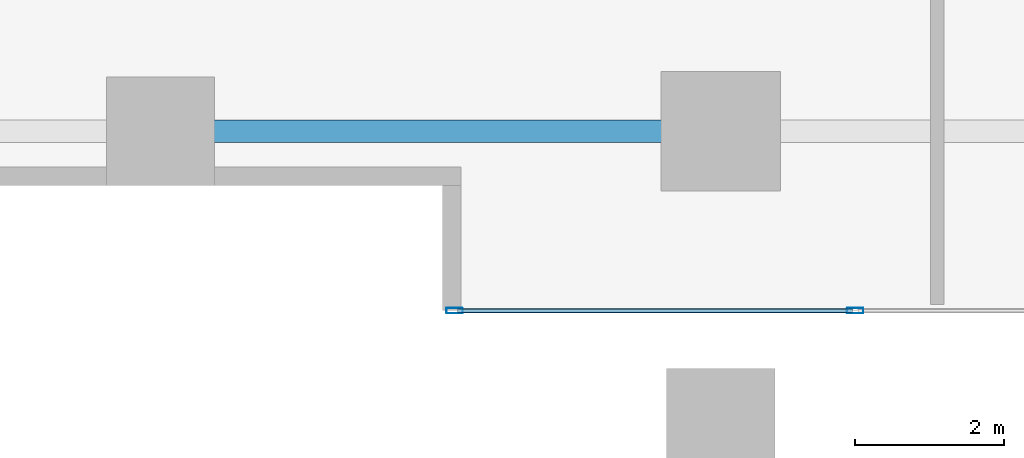
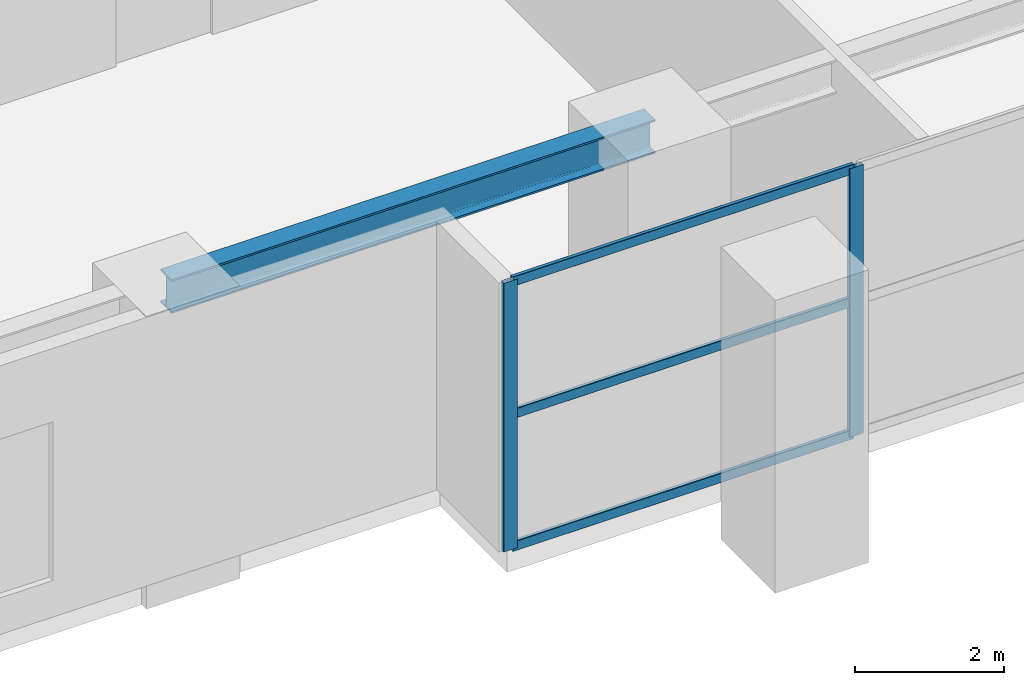
# One storey, part 2 of 20: 5 members, 1 beam, 1 element without a shape of its own.
"""IFC4 building model written with IfcOpenShell, lengths in metres."""

from ifc_helpers import new_model, si_unit, direction, frame, origin, origin_2d, place, context, subcontext, project, spatial, hollow_rectangle, i_section, extrude, source, transform, mapped, material, layer, layer_set, material_profile, profile_set, type_object, element, aggregate, save


model = new_model("IFC4")

# Units and contexts
model_context = context("Model", 3, precision=1e-05, world=origin(), true_north=direction((0.0, 1.0)))
body_context = subcontext(model_context, "Body", "Model", "MODEL_VIEW")
ifc_project = project(units=[si_unit("LENGTHUNIT", "METRE"), si_unit("AREAUNIT", "SQUARE_METRE"), si_unit("VOLUMEUNIT", "CUBIC_METRE"), si_unit("PLANEANGLEUNIT", "RADIAN"), si_unit("MASSUNIT", "GRAM", prefix="KILO")], contexts=[model_context])

# Site, building, storey
site_placement = place(None, origin())
site = spatial("IfcSite", under=ifc_project, at=site_placement, CompositionType="ELEMENT")
building_placement = place(site_placement, origin())
building = spatial("IfcBuilding", under=site, at=building_placement, Name="Serunith Strait Residences", CompositionType="ELEMENT")
storey_placement = place(building_placement, frame((0.0, 0.0, 10.5)))
storey = spatial("IfcBuildingStorey", under=building, at=storey_placement, Name="L02", CompositionType="ELEMENT", Elevation=10.5)

# Beam
ifc_material_1 = material(Name="Steel S355J2", Category="steel")
ifc_material_profile_1 = material_profile(ifc_material_1, i_section(OverallWidth=0.300048828125, OverallDepth=0.550048828125, WebThickness=0.014892578125, FlangeThickness=0.029052734375, FilletRadius=0.027099609375, at=origin_2d()), Name="HEB 550")
ifc_profile_set_1 = profile_set([ifc_material_profile_1], Name="Steel S355J2")
beam_type = type_object("IfcBeamType", Name="BM-HEB550", PredefinedType="BEAM", material=ifc_profile_set_1)
shared_shape_1 = source(origin(), body_context, "Body", "SweptSolid", [
    extrude(i_section(OverallWidth=0.300048828125, OverallDepth=0.550048828125, WebThickness=0.014892578125, FlangeThickness=0.029052734375, FilletRadius=0.027099609375, at=origin_2d()), origin(), (0.0, 0.0, 1.0), 7.5),
])
beam_placement = place(storey_placement, frame((20.39990234375, 4.800048828125, 4.14208984375), z_axis=(1.0, 0.0, 0.0), x_axis=(0.0, 1.0, 0.0)))
element("IfcBeam", 1, at=beam_placement, inside=storey, type_object=beam_type, Name="BM-L02-02", PredefinedType="BEAM", context=body_context, shape_type="MappedRepresentation", body=[
    mapped(shared_shape_1, transform((0.0, 0.0, 0.0), scale=1.0)),
])

# Curtain wall, members
ifc_material_2 = material(Name="Pale-Champagne Anodised Aluminium", Category="aluminium")
ifc_layer = layer(ifc_material_2, 0.199951171875, Name="Pale-Champagne Anodised Aluminium")
ifc_layer_set = layer_set([ifc_layer], Name="Pale-Champagne Anodised Aluminium")
curtain_wall_type = type_object("IfcCurtainWallType", Name="CW-SYS6", PredefinedType="NOTDEFINED", material=ifc_layer_set)
curtain_wall_placement = place(storey_placement, origin())
curtain_wall = element("IfcCurtainWall", 2, at=curtain_wall_placement, inside=storey, type_object=curtain_wall_type, Name="L02 Podium Galleria Curtain Wall 3A", PredefinedType="NOTDEFINED")
ifc_material_profile_2 = material_profile(ifc_material_2, hollow_rectangle(XDim=0.06005859375, YDim=0.159912109375, WallThickness=0.00341796875, InnerFilletRadius=0.00537109375, OuterFilletRadius=0.0087890625, at=origin_2d()), Name="ALU 160x60x3.5")
ifc_profile_set_2 = profile_set([ifc_material_profile_2], Name="Pale-Champagne Anodised Aluminium")
member_type_1 = type_object("IfcMemberType", Name="CW-SYS6-TRAN", PredefinedType="USERDEFINED", material=ifc_profile_set_2)
shared_shape_2 = source(origin(), body_context, "Body", "SweptSolid", [
    extrude(hollow_rectangle(XDim=0.06005859375, YDim=0.159912109375, WallThickness=0.00341796875, InnerFilletRadius=0.00537109375, OuterFilletRadius=0.0087890625, at=origin_2d()), origin(), (0.0, 0.0, 1.0), 5.28759765625),
])
member_1_placement = place(storey_placement, frame((24.375, 2.39990234375, 0.030029296875), z_axis=(1.0, 0.0, 0.0), x_axis=(0.0, 1.0, 0.0)))
member_1 = element("IfcMember", 3, at=member_1_placement, type_object=member_type_1, Name="CW-6 transom 1.1", ObjectType="TRANSOM", PredefinedType="USERDEFINED", context=body_context, shape_type="MappedRepresentation", body=[
    mapped(shared_shape_2, transform((0.0, 0.0, 0.0), scale=1.0)),
])
member_2_placement = place(storey_placement, frame((24.375, 2.39990234375, 2.202392578125), z_axis=(1.0, 0.0, 0.0), x_axis=(0.0, 1.0, 0.0)))
member_2 = element("IfcMember", 4, at=member_2_placement, type_object=member_type_1, Name="CW-6 transom 1.2", ObjectType="TRANSOM", PredefinedType="USERDEFINED", context=body_context, shape_type="MappedRepresentation", body=[
    mapped(shared_shape_2, transform((0.0, 0.0, 0.0), scale=1.0)),
])
member_3_placement = place(storey_placement, frame((24.375, 2.39990234375, 4.375), z_axis=(1.0, 0.0, 0.0), x_axis=(0.0, 1.0, 0.0)))
member_3 = element("IfcMember", 5, at=member_3_placement, type_object=member_type_1, Name="CW-6 transom 1.3", ObjectType="TRANSOM", PredefinedType="USERDEFINED", context=body_context, shape_type="MappedRepresentation", body=[
    mapped(shared_shape_2, transform((0.0, 0.0, 0.0), scale=1.0)),
])
ifc_material_profile_3 = material_profile(ifc_material_2, hollow_rectangle(XDim=0.074951171875, YDim=0.219970703125, WallThickness=0.00390625, InnerFilletRadius=0.006103515625, OuterFilletRadius=0.010009765625, at=origin_2d()), Name="ALU 220x75x4")
ifc_profile_set_3 = profile_set([ifc_material_profile_3], Name="Pale-Champagne Anodised Aluminium")
member_type_2 = type_object("IfcMemberType", Name="CW-SYS6-MULL", PredefinedType="MULLION", material=ifc_profile_set_3)
shared_shape_3 = source(origin(), body_context, "Body", "SweptSolid", [
    extrude(hollow_rectangle(XDim=0.074951171875, YDim=0.219970703125, WallThickness=0.00390625, InnerFilletRadius=0.006103515625, OuterFilletRadius=0.010009765625, at=origin_2d()), origin(), (0.0, 0.0, 1.0), 4.405029296875),
])
member_4_placement = place(storey_placement, frame((24.33740234375, 2.39990234375, 0.0), z_axis=(0.0, 0.0, 1.0), x_axis=(0.0, 1.0, 0.0)))
member_4 = element("IfcMember", 6, at=member_4_placement, type_object=member_type_2, Name="CW-6 mullion 1", PredefinedType="MULLION", context=body_context, shape_type="MappedRepresentation", body=[
    mapped(shared_shape_3, transform((0.0, 0.0, 0.0), scale=1.0)),
])
member_5_placement = place(storey_placement, frame((29.699951171875, 2.39990234375, 0.0), z_axis=(0.0, 0.0, 1.0), x_axis=(0.0, 1.0, 0.0)))
member_5 = element("IfcMember", 7, at=member_5_placement, type_object=member_type_2, Name="CW-6 mullion 2", PredefinedType="MULLION", context=body_context, shape_type="MappedRepresentation", body=[
    mapped(shared_shape_3, transform((0.0, 0.0, 0.0), scale=1.0)),
])
aggregate(curtain_wall, [member_4, member_5, member_1, member_2, member_3])

save(model, "model.ifc")
